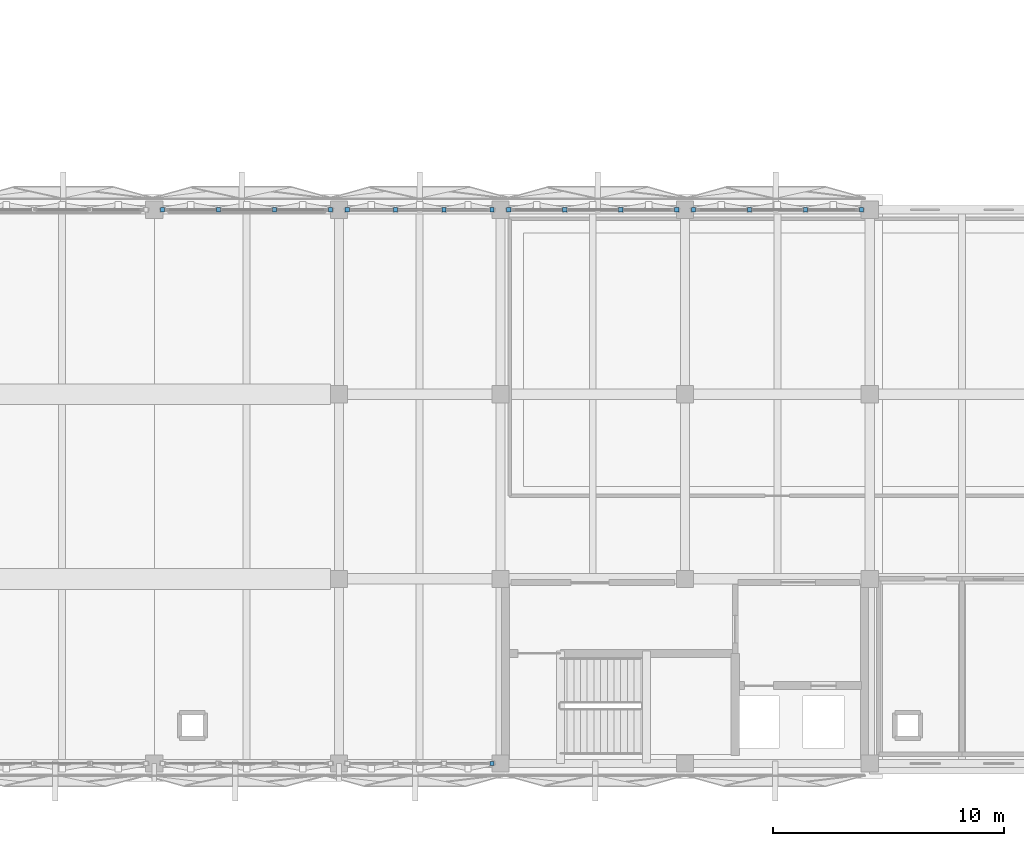
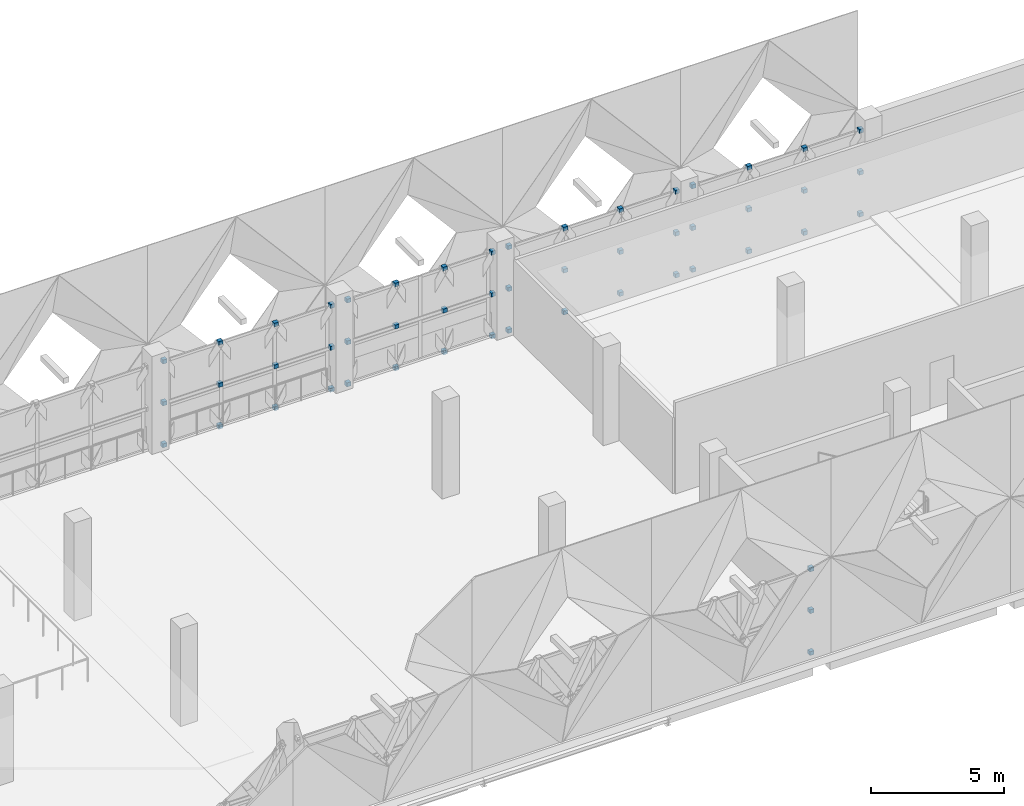
# One storey, part 39 of 53: 51 discrete accessories.
"""IFC4 building model written with IfcOpenShell, lengths in metres."""

from ifc_helpers import new_model, si_unit, direction, frame, origin, origin_2d, place, context, subcontext, project, spatial, rectangle, extrude, material, type_object, element, save


model = new_model("IFC4")

# Units and contexts
model_context = context("Model", 3, precision=1e-05, world=origin(), true_north=direction((0.0, 1.0)))
body_context = subcontext(model_context, "Body", "Model", "MODEL_VIEW")
ifc_project = project(units=[si_unit("LENGTHUNIT", "METRE"), si_unit("AREAUNIT", "SQUARE_METRE"), si_unit("VOLUMEUNIT", "CUBIC_METRE"), si_unit("PLANEANGLEUNIT", "RADIAN"), si_unit("MASSUNIT", "GRAM", prefix="KILO")], contexts=[model_context])

# Site, building, storey
site_placement = place(None, origin())
site = spatial("IfcSite", under=ifc_project, at=site_placement, CompositionType="ELEMENT")
building_placement = place(site_placement, origin())
building = spatial("IfcBuilding", under=site, at=building_placement, Name="Qorikala Patio Media Centre", CompositionType="ELEMENT")
storey_placement = place(building_placement, frame((0.0, 0.0, 5.39990234375)))
storey = spatial("IfcBuildingStorey", under=building, at=storey_placement, Name="L01", CompositionType="ELEMENT", Elevation=5.39990234375)

# Discrete accessories
ifc_material = material(Name="Steel S355", Category="steel")
discrete_accessory_type = type_object("IfcDiscreteAccessoryType", Name="ACC-BRACKET", PredefinedType="BRACKET", material=ifc_material)
for number, where, z_axis, x_axis, name in (
    (1, (67.360107421875, 27.0, -0.08984375), (0.0, 0.0, 1.0), (1.0, 0.0, 0.0), "L01 Brace End Bolted Connection Bracket 0247"),
    (2, (69.78662109375, 27.0, -0.08984375), (0.0, 0.0, 1.0), (1.0, 0.0, 0.0), "L01 Brace End Bolted Connection Bracket 0248"),
    (3, (67.360107421875, 27.0, 3.76025390625), (0.0, 0.0, 1.0), (1.0, 0.0, 0.0), "L01 Brace End Bolted Connection Bracket 0249"),
    (4, (69.78662109375, 27.0, 3.76025390625), (0.0, 0.0, 1.0), (1.0, 0.0, 0.0), "L01 Brace End Bolted Connection Bracket 0250"),
    (5, (67.360107421875, 27.0, 1.8349609375), (0.0, 0.0, 1.0), (1.0, 0.0, 0.0), "L01 Brace End Bolted Connection Bracket 0251"),
    (6, (69.78662109375, 27.0, 1.8349609375), (0.0, 0.0, 1.0), (1.0, 0.0, 0.0), "L01 Brace End Bolted Connection Bracket 0252"),
    (7, (72.21337890625, 27.0, -0.08984375), (0.0, 0.0, 1.0), (1.0, 0.0, 0.0), "L01 Brace End Bolted Connection Bracket 0253"),
    (8, (72.21337890625, 27.0, 3.76025390625), (0.0, 0.0, 1.0), (1.0, 0.0, 0.0), "L01 Brace End Bolted Connection Bracket 0254"),
    (9, (72.21337890625, 27.0, 1.8349609375), (0.0, 0.0, 1.0), (1.0, 0.0, 0.0), "L01 Brace End Bolted Connection Bracket 0255"),
    (10, (74.639892578125, 27.0, -0.08984375), (0.0, 0.0, 1.0), (1.0, 0.0, 0.0), "L01 Brace End Bolted Connection Bracket 0256"),
    (11, (74.639892578125, 27.0, 3.76025390625), (0.0, 0.0, 1.0), (1.0, 0.0, 0.0), "L01 Brace End Bolted Connection Bracket 0257"),
    (12, (74.639892578125, 27.0, 1.8349609375), (0.0, 0.0, 1.0), (1.0, 0.0, 0.0), "L01 Brace End Bolted Connection Bracket 0258"),
    (13, (75.360107421875, 27.0, -0.08984375), (0.0, 0.0, 1.0), (1.0, 0.0, 0.0), "L01 Brace End Bolted Connection Bracket 0259"),
    (14, (77.453369140625, 27.0, -0.08984375), (0.0, 0.0, 1.0), (1.0, 0.0, 0.0), "L01 Brace End Bolted Connection Bracket 0260"),
    (15, (75.360107421875, 27.0, 3.76025390625), (0.0, 0.0, 1.0), (1.0, 0.0, 0.0), "L01 Brace End Bolted Connection Bracket 0261"),
    (16, (77.453369140625, 27.0, 3.76025390625), (0.0, 0.0, 1.0), (1.0, 0.0, 0.0), "L01 Brace End Bolted Connection Bracket 0262"),
    (17, (75.360107421875, 27.0, 1.8349609375), (0.0, 0.0, 1.0), (1.0, 0.0, 0.0), "L01 Brace End Bolted Connection Bracket 0263"),
    (18, (77.453369140625, 27.0, 1.8349609375), (0.0, 0.0, 1.0), (1.0, 0.0, 0.0), "L01 Brace End Bolted Connection Bracket 0264"),
    (19, (79.546630859375, 27.0, -0.08984375), (0.0, 0.0, 1.0), (1.0, 0.0, 0.0), "L01 Brace End Bolted Connection Bracket 0265"),
    (20, (79.546630859375, 27.0, 3.76025390625), (0.0, 0.0, 1.0), (1.0, 0.0, 0.0), "L01 Brace End Bolted Connection Bracket 0266"),
    (21, (79.546630859375, 27.0, 1.8349609375), (0.0, 0.0, 1.0), (1.0, 0.0, 0.0), "L01 Brace End Bolted Connection Bracket 0267"),
    (22, (81.639892578125, 27.0, -0.08984375), (0.0, 0.0, 1.0), (1.0, 0.0, 0.0), "L01 Brace End Bolted Connection Bracket 0268"),
    (23, (81.639892578125, 27.0, 3.76025390625), (0.0, 0.0, 1.0), (1.0, 0.0, 0.0), "L01 Brace End Bolted Connection Bracket 0269"),
    (24, (81.639892578125, 27.0, 1.8349609375), (0.0, 0.0, 1.0), (1.0, 0.0, 0.0), "L01 Brace End Bolted Connection Bracket 0270"),
    (25, (82.360107421875, 27.0, -0.08984375), (0.0, 0.0, 1.0), (1.0, 0.0, 0.0), "L01 Brace End Bolted Connection Bracket 0271"),
    (26, (84.78662109375, 27.0, -0.08984375), (0.0, 0.0, 1.0), (1.0, 0.0, 0.0), "L01 Brace End Bolted Connection Bracket 0272"),
    (27, (82.360107421875, 27.0, 3.76025390625), (0.0, 0.0, 1.0), (1.0, 0.0, 0.0), "L01 Brace End Bolted Connection Bracket 0273"),
    (28, (84.78662109375, 27.0, 3.76025390625), (0.0, 0.0, 1.0), (1.0, 0.0, 0.0), "L01 Brace End Bolted Connection Bracket 0274"),
    (29, (82.360107421875, 27.0, 1.8349609375), (0.0, 0.0, 1.0), (1.0, 0.0, 0.0), "L01 Brace End Bolted Connection Bracket 0275"),
    (30, (84.78662109375, 27.0, 1.8349609375), (0.0, 0.0, 1.0), (1.0, 0.0, 0.0), "L01 Brace End Bolted Connection Bracket 0276"),
    (31, (87.21337890625, 27.0, -0.08984375), (0.0, 0.0, 1.0), (1.0, 0.0, 0.0), "L01 Brace End Bolted Connection Bracket 0277"),
    (32, (87.21337890625, 27.0, 3.76025390625), (0.0, 0.0, 1.0), (1.0, 0.0, 0.0), "L01 Brace End Bolted Connection Bracket 0278"),
    (33, (87.21337890625, 27.0, 1.8349609375), (0.0, 0.0, 1.0), (1.0, 0.0, 0.0), "L01 Brace End Bolted Connection Bracket 0279"),
    (34, (89.639892578125, 27.0, -0.08984375), (0.0, 0.0, 1.0), (1.0, 0.0, 0.0), "L01 Brace End Bolted Connection Bracket 0280"),
    (35, (89.639892578125, 27.0, 3.76025390625), (0.0, 0.0, 1.0), (1.0, 0.0, 0.0), "L01 Brace End Bolted Connection Bracket 0281"),
    (36, (89.639892578125, 27.0, 1.8349609375), (0.0, 0.0, 1.0), (1.0, 0.0, 0.0), "L01 Brace End Bolted Connection Bracket 0282"),
    (37, (90.360107421875, 27.0, -0.08984375), (0.0, 0.0, 1.0), (1.0, 0.0, 0.0), "L01 Brace End Bolted Connection Bracket 0283"),
    (38, (92.78662109375, 27.0, -0.08984375), (0.0, 0.0, 1.0), (1.0, 0.0, 0.0), "L01 Brace End Bolted Connection Bracket 0284"),
    (39, (90.360107421875, 27.0, 3.76025390625), (0.0, 0.0, 1.0), (1.0, 0.0, 0.0), "L01 Brace End Bolted Connection Bracket 0285"),
    (40, (92.78662109375, 27.0, 3.76025390625), (0.0, 0.0, 1.0), (1.0, 0.0, 0.0), "L01 Brace End Bolted Connection Bracket 0286"),
    (41, (90.360107421875, 27.0, 1.8349609375), (0.0, 0.0, 1.0), (1.0, 0.0, 0.0), "L01 Brace End Bolted Connection Bracket 0287"),
    (42, (92.78662109375, 27.0, 1.8349609375), (0.0, 0.0, 1.0), (1.0, 0.0, 0.0), "L01 Brace End Bolted Connection Bracket 0288"),
    (43, (95.21337890625, 27.0, -0.08984375), (0.0, 0.0, 1.0), (1.0, 0.0, 0.0), "L01 Brace End Bolted Connection Bracket 0289"),
    (44, (95.21337890625, 27.0, 3.76025390625), (0.0, 0.0, 1.0), (1.0, 0.0, 0.0), "L01 Brace End Bolted Connection Bracket 0290"),
    (45, (95.21337890625, 27.0, 1.8349609375), (0.0, 0.0, 1.0), (1.0, 0.0, 0.0), "L01 Brace End Bolted Connection Bracket 0291"),
    (46, (97.639892578125, 27.0, -0.08984375), (0.0, 0.0, 1.0), (1.0, 0.0, 0.0), "L01 Brace End Bolted Connection Bracket 0292"),
    (47, (97.639892578125, 27.0, 3.76025390625), (0.0, 0.0, 1.0), (1.0, 0.0, 0.0), "L01 Brace End Bolted Connection Bracket 0293"),
    (48, (97.639892578125, 27.0, 1.8349609375), (0.0, 0.0, 1.0), (1.0, 0.0, 0.0), "L01 Brace End Bolted Connection Bracket 0294"),
    (49, (81.639892578125, 3.0, -0.08984375), (0.0, 0.0, 1.0), (1.0, 0.0, 0.0), "L01 Brace End Bolted Connection Bracket 0295"),
    (50, (81.639892578125, 3.0, 3.76025390625), (0.0, 0.0, 1.0), (1.0, 0.0, 0.0), "L01 Brace End Bolted Connection Bracket 0297"),
    (51, (81.639892578125, 3.0, 1.8349609375), (0.0, 0.0, 1.0), (1.0, 0.0, 0.0), "L01 Brace End Bolted Connection Bracket 0299"),
):
    element("IfcDiscreteAccessory", number, at=place(storey_placement, frame(where, z_axis=z_axis, x_axis=x_axis)), inside=storey, type_object=discrete_accessory_type, Name=name, PredefinedType="BRACKET", context=body_context, shape_type="SweptSolid", body=[
        extrude(rectangle(XDim=0.179931640625, YDim=0.179931640625, at=origin_2d()), origin(), (0.0, 0.0, 1.0), 0.179931640625),
    ])

save(model, "model.ifc")
